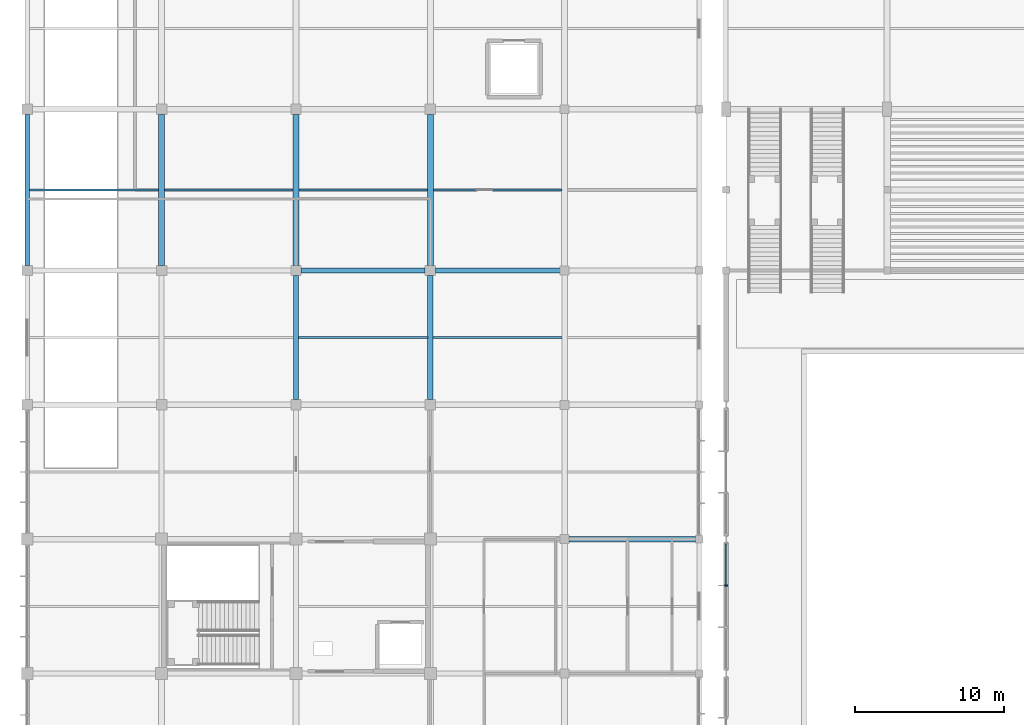
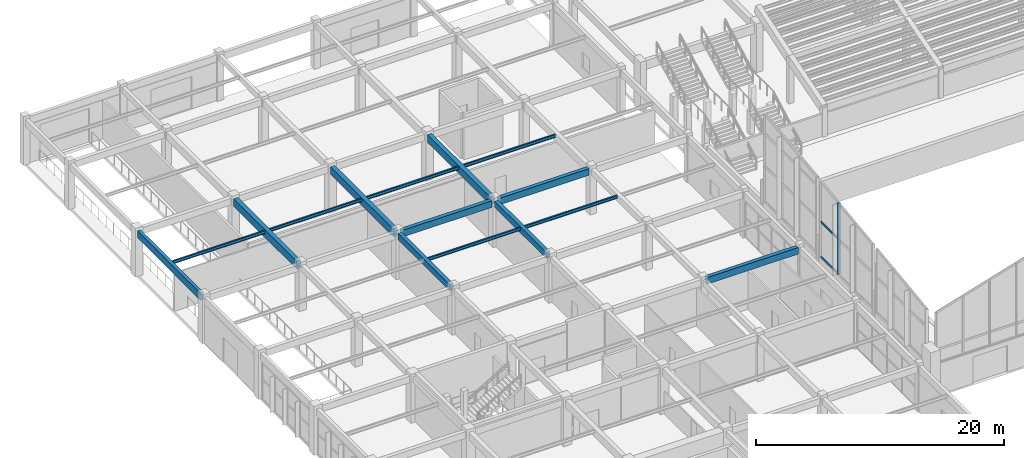
# One storey, part 27 of 82: 15 beams, 3 members, 1 element without a shape of its own.
"""IFC4 building model written with IfcOpenShell, lengths in metres."""

from ifc_helpers import new_model, si_unit, direction, frame, origin, origin_2d, place, context, subcontext, project, spatial, rectangle, i_section, extrude, material, material_profile, profile_set, type_object, element, aggregate, save


model = new_model("IFC4")

# Units and contexts
model_context = context("Model", 3, precision=1e-05, world=origin(), true_north=direction((0.0, 1.0)))
body_context = subcontext(model_context, "Body", "Model", "MODEL_VIEW")
ifc_project = project(units=[si_unit("LENGTHUNIT", "METRE"), si_unit("AREAUNIT", "SQUARE_METRE"), si_unit("VOLUMEUNIT", "CUBIC_METRE"), si_unit("PLANEANGLEUNIT", "RADIAN"), si_unit("MASSUNIT", "GRAM", prefix="KILO")], contexts=[model_context])

# Site, building, storey
site_placement = place(None, origin())
site = spatial("IfcSite", under=ifc_project, at=site_placement, CompositionType="ELEMENT")
building_placement = place(site_placement, origin())
building = spatial("IfcBuilding", under=site, at=building_placement, Name="Suirenkawa Promenade Aquatics Centre", CompositionType="ELEMENT")
storey_placement = place(building_placement, origin())
storey = spatial("IfcBuildingStorey", under=building, at=storey_placement, Name="L00", CompositionType="ELEMENT", Elevation=0.0)

# Beams
ifc_material_1 = material(Name="Steel IS 2062 E350 (Grade 350)", Category="steel")
ifc_material_profile_1 = material_profile(ifc_material_1, i_section(OverallWidth=0.139892578125, OverallDepth=0.300048828125, WebThickness=0.008056640625, FlangeThickness=0.012939453125, at=origin_2d()), Name="ISMB 300", Category="steel")
ifc_profile_set_1 = profile_set([ifc_material_profile_1], Name="Steel IS 2062 E350 (Grade 350)")
beam_type_1 = type_object("IfcBeamType", Name="BT-JOIST-ISMB300", PredefinedType="JOIST", material=ifc_profile_set_1)
beam_1_placement = place(storey_placement, frame((0.14404296875, 91.800048828125, 4.347900390625), z_axis=(1.0, 0.0, 0.0), x_axis=(0.0, 1.0, 0.0)))
element("IfcBeam", 1, at=beam_1_placement, inside=storey, type_object=beam_type_1, Name="Secondary floor joist JS-02 BM-0341", PredefinedType="JOIST", context=body_context, shape_type="SweptSolid", body=[
    extrude(i_section(OverallWidth=0.139892578125, OverallDepth=0.300048828125, WebThickness=0.008056640625, FlangeThickness=0.012939453125, at=origin_2d()), origin(), (0.0, 0.0, 1.0), 8.661865234375),
])
beam_2_placement = place(storey_placement, frame((9.194091796875, 91.800048828125, 4.347900390625), z_axis=(1.0, 0.0, 0.0), x_axis=(0.0, 1.0, 0.0)))
element("IfcBeam", 2, at=beam_2_placement, inside=storey, type_object=beam_type_1, Name="Secondary floor joist JS-02 BM-0349", PredefinedType="JOIST", context=body_context, shape_type="SweptSolid", body=[
    extrude(i_section(OverallWidth=0.139892578125, OverallDepth=0.300048828125, WebThickness=0.008056640625, FlangeThickness=0.012939453125, at=origin_2d()), origin(), (0.0, 0.0, 1.0), 8.61181640625),
])
beam_3_placement = place(storey_placement, frame((18.1689453125, 81.89990234375, 4.347900390625), z_axis=(1.0, 0.0, 0.0), x_axis=(0.0, 1.0, 0.0)))
element("IfcBeam", 3, at=beam_3_placement, inside=storey, type_object=beam_type_1, Name="Secondary floor joist JS-02 BM-0358", PredefinedType="JOIST", context=body_context, shape_type="SweptSolid", body=[
    extrude(i_section(OverallWidth=0.139892578125, OverallDepth=0.300048828125, WebThickness=0.008056640625, FlangeThickness=0.012939453125, at=origin_2d()), origin(), (0.0, 0.0, 1.0), 8.662109375),
])
beam_4_placement = place(storey_placement, frame((18.194091796875, 91.800048828125, 4.347900390625), z_axis=(1.0, 0.0, 0.0), x_axis=(0.0, 1.0, 0.0)))
element("IfcBeam", 4, at=beam_4_placement, inside=storey, type_object=beam_type_1, Name="Secondary floor joist JS-02 BM-0359", PredefinedType="JOIST", context=body_context, shape_type="SweptSolid", body=[
    extrude(i_section(OverallWidth=0.139892578125, OverallDepth=0.300048828125, WebThickness=0.008056640625, FlangeThickness=0.012939453125, at=origin_2d()), origin(), (0.0, 0.0, 1.0), 8.61181640625),
])
beam_5_placement = place(storey_placement, frame((27.1689453125, 81.89990234375, 4.347900390625), z_axis=(1.0, 0.0, 0.0), x_axis=(0.0, 1.0, 0.0)))
element("IfcBeam", 5, at=beam_5_placement, inside=storey, type_object=beam_type_1, Name="Secondary floor joist JS-02 BM-0370", PredefinedType="JOIST", context=body_context, shape_type="SweptSolid", body=[
    extrude(i_section(OverallWidth=0.139892578125, OverallDepth=0.300048828125, WebThickness=0.008056640625, FlangeThickness=0.012939453125, at=origin_2d()), origin(), (0.0, 0.0, 1.0), 8.662109375),
])
beam_6_placement = place(storey_placement, frame((27.194091796875, 91.800048828125, 4.347900390625), z_axis=(1.0, 0.0, 0.0), x_axis=(0.0, 1.0, 0.0)))
element("IfcBeam", 6, at=beam_6_placement, inside=storey, type_object=beam_type_1, Name="Secondary floor joist JS-02 BM-0371", PredefinedType="JOIST", context=body_context, shape_type="SweptSolid", body=[
    extrude(i_section(OverallWidth=0.139892578125, OverallDepth=0.300048828125, WebThickness=0.008056640625, FlangeThickness=0.012939453125, at=origin_2d()), origin(), (0.0, 0.0, 1.0), 8.61181640625),
])
ifc_material_2 = material(Name="Concrete M35", Category="concrete")
ifc_material_profile_2 = material_profile(ifc_material_2, rectangle(XDim=0.35009765625, YDim=0.60009765625, at=origin_2d()), Name="RC BM 350x600", Category="concrete")
ifc_profile_set_2 = profile_set([ifc_material_profile_2], Name="Concrete M35")
beam_type_2 = type_object("IfcBeamType", Name="BT-RC-350x600", PredefinedType="BEAM", material=ifc_profile_set_2)
for number, where, z_axis, x_axis, name in (
    (7, (18.0, 77.743896484375, 4.199951171875), (0.0, 1.0, 0.0), (-1.0, 0.0, 0.0), "Floor beam BM-02 BM-0292"),
    (8, (27.0, 77.743896484375, 4.199951171875), (0.0, 1.0, 0.0), (-1.0, 0.0, 0.0), "Floor beam BM-02 BM-0304"),
):
    element("IfcBeam", number, at=place(storey_placement, frame(where, z_axis=z_axis, x_axis=x_axis)), inside=storey, type_object=beam_type_2, Name=name, PredefinedType="BEAM", context=body_context, shape_type="SweptSolid", body=[
        extrude(rectangle(XDim=0.35009765625, YDim=0.60009765625, at=origin_2d()), origin(), (0.0, 0.0, 1.0), 8.31201171875),
    ])
ifc_material_profile_3 = material_profile(ifc_material_2, rectangle(XDim=0.35009765625, YDim=0.64990234375, at=origin_2d()), Name="RC BM 350x650", Category="concrete")
ifc_profile_set_3 = profile_set([ifc_material_profile_3], Name="Concrete M35")
beam_type_3 = type_object("IfcBeamType", Name="BT-RC-350x650", PredefinedType="BEAM", material=ifc_profile_set_3)
beam_7_placement = place(storey_placement, frame((36.2939453125, 68.39990234375, 4.175048828125), z_axis=(1.0, 0.0, 0.0), x_axis=(0.0, 1.0, 0.0)))
element("IfcBeam", 9, at=beam_7_placement, inside=storey, type_object=beam_type_3, Name="Floor beam BM-03 BM-0236", PredefinedType="BEAM", context=body_context, shape_type="SweptSolid", body=[
    extrude(rectangle(XDim=0.35009765625, YDim=0.64990234375, at=origin_2d()), origin(), (0.0, 0.0, 1.0), 8.462158203125),
])
beam_8_placement = place(storey_placement, frame((18.343994140625, 86.39990234375, 4.175048828125), z_axis=(1.0, 0.0, 0.0), x_axis=(0.0, 1.0, 0.0)))
element("IfcBeam", 10, at=beam_8_placement, inside=storey, type_object=beam_type_3, Name="Floor beam BM-03 BM-0244", PredefinedType="BEAM", context=body_context, shape_type="SweptSolid", body=[
    extrude(rectangle(XDim=0.35009765625, YDim=0.64990234375, at=origin_2d()), origin(), (0.0, 0.0, 1.0), 8.31201171875),
])
beam_9_placement = place(storey_placement, frame((27.343994140625, 86.39990234375, 4.175048828125), z_axis=(1.0, 0.0, 0.0), x_axis=(0.0, 1.0, 0.0)))
element("IfcBeam", 11, at=beam_9_placement, inside=storey, type_object=beam_type_3, Name="Floor beam BM-03 BM-0245", PredefinedType="BEAM", context=body_context, shape_type="SweptSolid", body=[
    extrude(rectangle(XDim=0.35009765625, YDim=0.64990234375, at=origin_2d()), origin(), (0.0, 0.0, 1.0), 8.362060546875),
])
ifc_material_3 = material(Name="Concrete M40", Category="concrete")
ifc_material_profile_4 = material_profile(ifc_material_3, rectangle(XDim=0.39990234375, YDim=0.75, at=origin_2d()), Name="RC BM 400x750", Category="concrete")
ifc_profile_set_4 = profile_set([ifc_material_profile_4], Name="Concrete M40")
beam_type_4 = type_object("IfcBeamType", Name="BT-RC-400x750", PredefinedType="BEAM", material=ifc_profile_set_4)
for number, where, z_axis, x_axis, name in (
    (12, (9.0, 86.743896484375, 4.125), (0.0, 1.0, 0.0), (-1.0, 0.0, 0.0), "Floor beam BM-05 BM-0283"),
    (13, (18.0, 86.743896484375, 4.125), (0.0, 1.0, 0.0), (-1.0, 0.0, 0.0), "Floor beam BM-05 BM-0293"),
    (14, (27.0, 86.743896484375, 4.125), (0.0, 1.0, 0.0), (-1.0, 0.0, 0.0), "Floor beam BM-05 BM-0305"),
):
    element("IfcBeam", number, at=place(storey_placement, frame(where, z_axis=z_axis, x_axis=x_axis)), inside=storey, type_object=beam_type_4, Name=name, PredefinedType="BEAM", context=body_context, shape_type="SweptSolid", body=[
        extrude(rectangle(XDim=0.39990234375, YDim=0.75, at=origin_2d()), origin(), (0.0, 0.0, 1.0), 10.112060546875),
    ])
ifc_material_profile_5 = material_profile(ifc_material_3, rectangle(XDim=0.300048828125, YDim=0.699951171875, at=origin_2d()), Name="RC SPANDREL 300x700", Category="concrete")
ifc_profile_set_5 = profile_set([ifc_material_profile_5], Name="Concrete M40")
beam_type_5 = type_object("IfcBeamType", Name="BT-SPANDREL-300x700", PredefinedType="SPANDREL", material=ifc_profile_set_5)
beam_10_placement = place(storey_placement, frame((0.0, 86.743896484375, 4.14990234375), z_axis=(0.0, 1.0, 0.0), x_axis=(-1.0, 0.0, 0.0)))
element("IfcBeam", 15, at=beam_10_placement, inside=storey, type_object=beam_type_5, Name="Floor beam SP-01 BM-0271", PredefinedType="SPANDREL", context=body_context, shape_type="SweptSolid", body=[
    extrude(rectangle(XDim=0.300048828125, YDim=0.699951171875, at=origin_2d()), origin(), (0.0, 0.0, 1.0), 10.112060546875),
])

# Curtain wall, members
ifc_material_4 = material(Name="Anodised aluminium 6063-T6", Category="aluminium")
curtain_wall_type = type_object("IfcCurtainWallType", Name="CWAT-GABLEV1-02", PredefinedType="NOTDEFINED", material=ifc_material_4)
curtain_wall_placement = place(storey_placement, origin())
curtain_wall = element("IfcCurtainWall", 16, at=curtain_wall_placement, inside=storey, type_object=curtain_wall_type, Name="Curtain wall CWA-02 CW-002", PredefinedType="NOTDEFINED")
ifc_material_profile_6 = material_profile(ifc_material_4, rectangle(XDim=0.110107421875, YDim=0.260009765625, at=origin_2d()), Name="ALU MULL 110x260", Category="aluminium")
ifc_profile_set_6 = profile_set([ifc_material_profile_6], Name="Anodised aluminium 6063-T6")
member_type_1 = type_object("IfcMemberType", Name="CWM-260x110", PredefinedType="MULLION", material=ifc_profile_set_6)
member_1_placement = place(storey_placement, frame((46.800048828125, 65.30029296875, 2.949951171875), z_axis=(0.0, 0.0, 1.0), x_axis=(0.0, 1.0, 0.0)))
member_1 = element("IfcMember", 17, at=member_1_placement, type_object=member_type_1, Name="Mullion ML-04 CWM-00020", PredefinedType="MULLION", context=body_context, shape_type="SweptSolid", body=[
    extrude(rectangle(XDim=0.110107421875, YDim=0.260009765625, at=origin_2d()), origin(), (0.0, 0.0, 1.0), 7.0205078125),
])
ifc_material_profile_7 = material_profile(ifc_material_4, rectangle(XDim=0.110107421875, YDim=0.2099609375, at=origin_2d()), Name="ALU TRAN 110x210", Category="aluminium")
ifc_profile_set_7 = profile_set([ifc_material_profile_7], Name="Anodised aluminium 6063-T6")
member_type_2 = type_object("IfcMemberType", Name="CWT-210x110", PredefinedType="USERDEFINED", material=ifc_profile_set_7)
member_2_placement = place(storey_placement, frame((46.800048828125, 65.30029296875, 2.949951171875), z_axis=(0.0, 1.0, 0.0), x_axis=(-1.0, 0.0, 0.0)))
member_2 = element("IfcMember", 18, at=member_2_placement, type_object=member_type_2, Name="Transom TR-04 CWT-00024", ObjectType="TRANSOM", PredefinedType="USERDEFINED", context=body_context, shape_type="SweptSolid", body=[
    extrude(rectangle(XDim=0.110107421875, YDim=0.2099609375, at=origin_2d()), origin(), (0.0, 0.0, 1.0), 2.80078125),
])
member_3_placement = place(storey_placement, frame((46.800048828125, 65.30029296875, 6.39990234375), z_axis=(0.0, 1.0, 0.0), x_axis=(-1.0, 0.0, 0.0)))
member_3 = element("IfcMember", 19, at=member_3_placement, type_object=member_type_2, Name="Transom TR-04 CWT-00027", ObjectType="TRANSOM", PredefinedType="USERDEFINED", context=body_context, shape_type="SweptSolid", body=[
    extrude(rectangle(XDim=0.110107421875, YDim=0.2099609375, at=origin_2d()), origin(), (0.0, 0.0, 1.0), 2.80078125),
])
aggregate(curtain_wall, [member_1, member_2, member_3])

save(model, "model.ifc")
